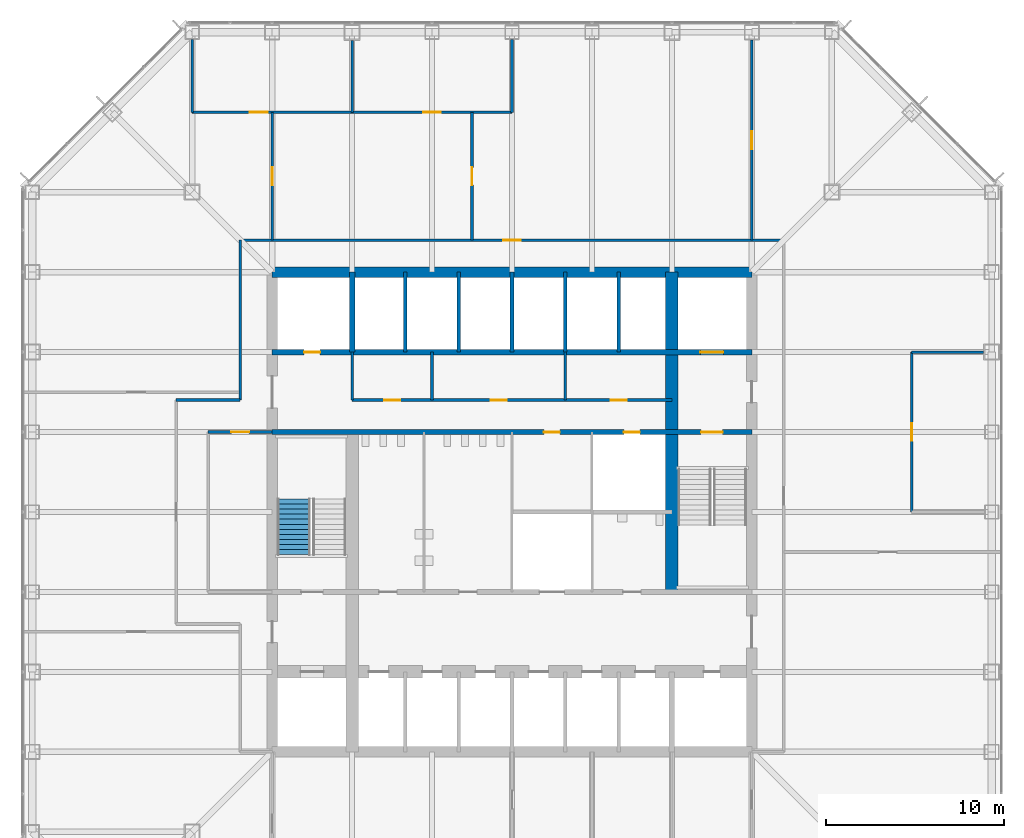
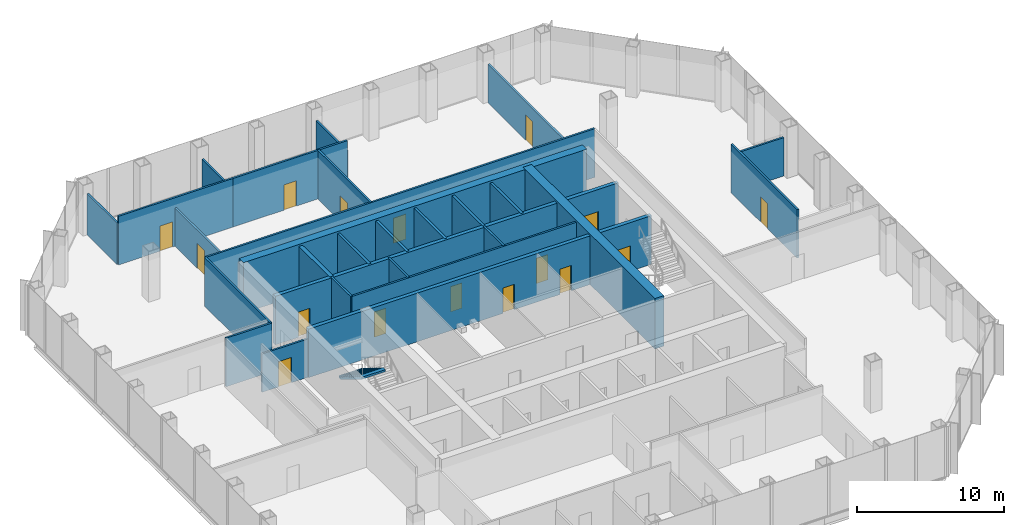
# One storey, part 10 of 13: 28 walls, 16 doors, 1 stair flight, 16 openings, 1 element without a shape of its own.
"""IFC4 building model written with IfcOpenShell, lengths in metres."""

from ifc_helpers import new_model, si_unit, direction, frame, frame_2d, origin, place, context, subcontext, project, spatial, polyline, rectangle, outline, extrude, material, layer, layer_set, type_object, element, fill, aggregate, save


model = new_model("IFC4")

# Units and contexts
model_context = context("Model", 3, precision=1e-05, world=origin(), true_north=direction((0.0, 1.0)))
body_context = subcontext(model_context, "Body", "Model", "MODEL_VIEW")
ifc_project = project(units=[si_unit("LENGTHUNIT", "METRE"), si_unit("AREAUNIT", "SQUARE_METRE"), si_unit("VOLUMEUNIT", "CUBIC_METRE"), si_unit("PLANEANGLEUNIT", "RADIAN"), si_unit("MASSUNIT", "GRAM", prefix="KILO")], contexts=[model_context])

# Site, building, storey
site_placement = place(None, origin())
site = spatial("IfcSite", under=ifc_project, at=site_placement, CompositionType="ELEMENT")
building_placement = place(site_placement, origin())
building = spatial("IfcBuilding", under=site, at=building_placement, Name="Corais Broadcast Tower", CompositionType="ELEMENT")
storey_placement = place(building_placement, frame((0.0, 0.0, 96.199951171875)))
storey = spatial("IfcBuildingStorey", under=building, at=storey_placement, Name="L21", CompositionType="ELEMENT", Elevation=96.199951171875)

# Wall
ifc_material_1 = material(Name="Concrete blockwork class A, grouted, two-hour", Category="masonry")
ifc_layer_1 = layer(ifc_material_1, 0.300048828125)
ifc_layer_set_1 = layer_set([ifc_layer_1], Name="Concrete blockwork class A, grouted, two-hour")
wall_type_1 = type_object("IfcWallType", Name="Core lobby wall 300", PredefinedType="SOLIDWALL", material=ifc_layer_set_1)
wall_1_placement = place(storey_placement, frame((18.0, 36.0, 0.0), z_axis=(0.0, 0.0, 1.0), x_axis=(0.0, 1.0, 0.0)))
element("IfcWall", 1, at=wall_1_placement, inside=storey, type_object=wall_type_1, Name="CL1 core shaft wall X18B L21", PredefinedType="SOLIDWALL", context=body_context, shape_type="SweptSolid", body=[
    extrude(rectangle(XDim=4.5, YDim=0.300048828125, at=frame_2d((2.25, 0.0))), origin(), (0.0, 0.0, 1.0), 4.0400390625),
])

# Wall, openings, doors
wall_2_placement = place(storey_placement, frame((13.5, 31.5, 0.0), z_axis=(0.0, 0.0, 1.0), x_axis=(1.0, 0.0, 0.0)))
wall_2 = element("IfcWall", 2, at=wall_2_placement, inside=storey, type_object=wall_type_1, Name="CL1 core lobby wall Y315 L21", PredefinedType="SOLIDWALL", context=body_context, shape_type="SweptSolid", body=[
    extrude(rectangle(XDim=27.0, YDim=0.300048828125, at=frame_2d((13.5, 0.0))), origin(), (0.0, 0.0, 1.0), 4.0400390625),
])
opening_1_placement = place(wall_2_placement, frame((24.14990234375, 0.0, 0.0)))
opening_1 = element("IfcOpeningElement", 3, at=opening_1_placement, cuts=wall_2, Name="Opening FD1", PredefinedType="OPENING", context=body_context, shape_type="SweptSolid", body=[
    extrude(rectangle(XDim=1.199951171875, YDim=2.10009765625, at=frame_2d((0.60009765625, 1.050048828125))), frame((0.0, 0.159912109375, 0.0), z_axis=(0.0, -1.0, 0.0), x_axis=(1.0, 0.0, 0.0)), (0.0, 0.0, 1.0), 0.320068359375),
])
opening_2_placement = place(wall_2_placement, frame((15.300048828125, 0.0, 0.0)))
opening_2 = element("IfcOpeningElement", 4, at=opening_2_placement, cuts=wall_2, Name="Opening RD1", PredefinedType="OPENING", context=body_context, shape_type="SweptSolid", body=[
    extrude(rectangle(XDim=0.89990234375, YDim=2.10009765625, at=frame_2d((0.449951171875, 1.050048828125))), frame((0.0, 0.159912109375, 0.0), z_axis=(0.0, -1.0, 0.0), x_axis=(1.0, 0.0, 0.0)), (0.0, 0.0, 1.0), 0.320068359375),
])
opening_3_placement = place(wall_2_placement, frame((19.800048828125, 0.0, 0.0)))
opening_3 = element("IfcOpeningElement", 5, at=opening_3_placement, cuts=wall_2, Name="Opening RD1", PredefinedType="OPENING", context=body_context, shape_type="SweptSolid", body=[
    extrude(rectangle(XDim=0.89990234375, YDim=2.10009765625, at=frame_2d((0.449951171875, 1.050048828125))), frame((0.0, 0.159912109375, 0.0), z_axis=(0.0, -1.0, 0.0), x_axis=(1.0, 0.0, 0.0)), (0.0, 0.0, 1.0), 0.320068359375),
])
ifc_material_2 = material(Name="Steel fire door", Category="steel")
door_type_1 = type_object("IfcDoorType", Name="Fire door 1200x2100", OperationType="SINGLE_SWING_LEFT", PredefinedType="DOOR", material=ifc_material_2)
door_1_placement = place(opening_1_placement, origin())
door_1 = element("IfcDoor", 6, at=door_1_placement, inside=storey, type_object=door_type_1, Name="FD1 stair B door L21", OperationType="SINGLE_SWING_RIGHT", OverallHeight=2.10009765625, OverallWidth=1.199951171875, PredefinedType="DOOR", context=body_context, shape_type="SweptSolid", body=[
    extrude(rectangle(XDim=1.199951171875, YDim=2.10009765625, at=frame_2d((0.60009765625, 1.050048828125))), frame((0.0, 0.02490234375, 0.0), z_axis=(0.0, -1.0, 0.0), x_axis=(1.0, 0.0, 0.0)), (0.0, 0.0, 1.0), 0.050048828125),
])
fill(opening_1, door_1)
ifc_material_3 = material(Name="Steel fire door", Category="steel")
door_type_2 = type_object("IfcDoorType", Name="Riser door 900x2100", OperationType="SINGLE_SWING_LEFT", PredefinedType="DOOR", material=ifc_material_3)
door_2_placement = place(opening_2_placement, origin())
door_2 = element("IfcDoor", 7, at=door_2_placement, inside=storey, type_object=door_type_2, Name="RD1 tea point door L21", OperationType="SINGLE_SWING_RIGHT", OverallHeight=2.10009765625, OverallWidth=0.89990234375, PredefinedType="DOOR", context=body_context, shape_type="SweptSolid", body=[
    extrude(rectangle(XDim=0.89990234375, YDim=2.10009765625, at=frame_2d((0.449951171875, 1.050048828125))), frame((0.0, 0.02490234375, 0.0), z_axis=(0.0, -1.0, 0.0), x_axis=(1.0, 0.0, 0.0)), (0.0, 0.0, 1.0), 0.050048828125),
])
fill(opening_2, door_2)
door_3_placement = place(opening_3_placement, origin())
door_3 = element("IfcDoor", 8, at=door_3_placement, inside=storey, type_object=door_type_2, Name="RD1 riser door L21", OperationType="SINGLE_SWING_RIGHT", OverallHeight=2.10009765625, OverallWidth=0.89990234375, PredefinedType="DOOR", context=body_context, shape_type="SweptSolid", body=[
    extrude(rectangle(XDim=0.89990234375, YDim=2.10009765625, at=frame_2d((0.449951171875, 1.050048828125))), frame((0.0, 0.02490234375, 0.0), z_axis=(0.0, -1.0, 0.0), x_axis=(1.0, 0.0, 0.0)), (0.0, 0.0, 1.0), 0.050048828125),
])
fill(opening_3, door_3)

# Walls
ifc_material_4 = material(Name="Concrete C50/60", Category="concrete")
ifc_layer_2 = layer(ifc_material_4, 0.699951171875)
ifc_layer_set_2 = layer_set([ifc_layer_2], Name="Concrete C50/60")
wall_type_2 = type_object("IfcWallType", Name="Core spine wall 700", PredefinedType="SHEAR", material=ifc_layer_set_2)
wall_3_placement = place(storey_placement, frame((36.0, 22.5, 0.0), z_axis=(0.0, 0.0, 1.0), x_axis=(0.0, 1.0, 0.0)))
element("IfcWall", 9, at=wall_3_placement, inside=storey, type_object=wall_type_2, Name="CR700 core wall X36B L21", PredefinedType="SHEAR", context=body_context, shape_type="SweptSolid", body=[
    extrude(rectangle(XDim=18.0, YDim=0.699951171875, at=frame_2d((9.0, 0.0))), origin(), (0.0, 0.0, 1.0), 4.199951171875),
])
ifc_material_5 = material(Name="Concrete C50/60", Category="concrete")
ifc_layer_3 = layer(ifc_material_5, 0.60009765625)
ifc_layer_set_3 = layer_set([ifc_layer_3], Name="Concrete C50/60")
wall_type_3 = type_object("IfcWallType", Name="Core wall 600", PredefinedType="SHEAR", material=ifc_layer_set_3)
wall_4_placement = place(storey_placement, frame((40.5, 40.5, 0.0), z_axis=(0.0, 0.0, 1.0), x_axis=(-1.0, 0.0, 0.0)))
element("IfcWall", 10, at=wall_4_placement, inside=storey, type_object=wall_type_3, Name="CR600 core wall N L21", PredefinedType="SHEAR", context=body_context, shape_type="SweptSolid", body=[
    extrude(rectangle(XDim=27.0, YDim=0.60009765625, at=frame_2d((13.5, 0.0))), origin(), (0.0, 0.0, 1.0), 4.199951171875),
])

# Wall, openings, doors
ifc_material_6 = material(Name="Concrete blockwork class A, grouted, four-hour", Category="masonry")
ifc_layer_4 = layer(ifc_material_6, 0.300048828125)
ifc_layer_set_4 = layer_set([ifc_layer_4], Name="Concrete blockwork class A, grouted, four-hour")
wall_type_4 = type_object("IfcWallType", Name="Emergency lift shaft wall 300", PredefinedType="SOLIDWALL", material=ifc_layer_set_4)
wall_5_placement = place(storey_placement, frame((13.5, 36.0, 0.0), z_axis=(0.0, 0.0, 1.0), x_axis=(1.0, 0.0, 0.0)))
wall_5 = element("IfcWall", 11, at=wall_5_placement, inside=storey, type_object=wall_type_4, Name="LS1 core lobby wall Y36 L21", PredefinedType="SOLIDWALL", context=body_context, shape_type="SweptSolid", body=[
    extrude(rectangle(XDim=27.0, YDim=0.300048828125, at=frame_2d((13.5, 0.0))), origin(), (0.0, 0.0, 1.0), 4.0400390625),
])
opening_4_placement = place(wall_5_placement, frame((1.800048828125, 0.0, 0.0)))
opening_4 = element("IfcOpeningElement", 12, at=opening_4_placement, cuts=wall_5, Name="Opening RD1", PredefinedType="OPENING", context=body_context, shape_type="SweptSolid", body=[
    extrude(rectangle(XDim=0.89990234375, YDim=2.10009765625, at=frame_2d((0.449951171875, 1.050048828125))), frame((0.0, 0.159912109375, 0.0), z_axis=(0.0, -1.0, 0.0), x_axis=(1.0, 0.0, 0.0)), (0.0, 0.0, 1.0), 0.320068359375),
])
opening_5_placement = place(wall_5_placement, frame((24.10009765625, 0.0, 0.0)))
opening_5 = element("IfcOpeningElement", 13, at=opening_5_placement, cuts=wall_5, Name="Opening LD2", PredefinedType="OPENING", context=body_context, shape_type="SweptSolid", body=[
    extrude(rectangle(XDim=1.300048828125, YDim=2.199951171875, at=frame_2d((0.64990234375, 1.10009765625))), frame((0.0, 0.159912109375, 0.0), z_axis=(0.0, -1.0, 0.0), x_axis=(1.0, 0.0, 0.0)), (0.0, 0.0, 1.0), 0.320068359375),
])
ifc_material_7 = material(Name="Stainless steel lift door", Category="steel")
door_type_3 = type_object("IfcDoorType", Name="Lift landing door 1300x2200", OperationType="SLIDING_TO_LEFT", PredefinedType="DOOR", material=ifc_material_7)
door_4_placement = place(opening_5_placement, origin())
door_4 = element("IfcDoor", 14, at=door_4_placement, inside=storey, type_object=door_type_3, Name="LD2 FL2 landing door L21", OperationType="SLIDING_TO_LEFT", OverallHeight=2.199951171875, OverallWidth=1.300048828125, PredefinedType="DOOR", context=body_context, shape_type="SweptSolid", body=[
    extrude(rectangle(XDim=1.300048828125, YDim=2.199951171875, at=frame_2d((0.64990234375, 1.10009765625))), frame((0.0, 0.02490234375, 0.0), z_axis=(0.0, -1.0, 0.0), x_axis=(1.0, 0.0, 0.0)), (0.0, 0.0, 1.0), 0.050048828125),
])
fill(opening_5, door_4)
door_5_placement = place(opening_4_placement, origin())
door_5 = element("IfcDoor", 15, at=door_5_placement, inside=storey, type_object=door_type_2, Name="RD1 riser door L21", OperationType="SINGLE_SWING_LEFT", OverallHeight=2.10009765625, OverallWidth=0.89990234375, PredefinedType="DOOR", context=body_context, shape_type="SweptSolid", body=[
    extrude(rectangle(XDim=0.89990234375, YDim=2.10009765625, at=frame_2d((0.449951171875, 1.050048828125))), frame((0.0, 0.02490234375, 0.0), z_axis=(0.0, -1.0, 0.0), x_axis=(1.0, 0.0, 0.0)), (0.0, 0.0, 1.0), 0.050048828125),
])
fill(opening_4, door_5)

ifc_material_8 = material(Name="Two layers of fire-rated gypsum board each side on steel studs", Category="steel")
ifc_layer_5 = layer(ifc_material_8, 0.14990234375)
ifc_layer_set_5 = layer_set([ifc_layer_5], Name="Two layers of fire-rated gypsum board each side on steel studs")
wall_type_5 = type_object("IfcWallType", Name="Fire-rated partition 150 EI 60", PredefinedType="PARTITIONING", material=ifc_layer_set_5)
wall_6_placement = place(storey_placement, frame((18.0, 33.300048828125, 0.0), z_axis=(0.0, 0.0, 1.0), x_axis=(1.0, 0.0, 0.0)))
wall_6 = element("IfcWall", 16, at=wall_6_placement, inside=storey, type_object=wall_type_5, Name="IW7 partition L21", PredefinedType="PARTITIONING", context=body_context, shape_type="SweptSolid", body=[
    extrude(rectangle(XDim=18.0, YDim=0.14990234375, at=frame_2d((9.0, 0.0))), origin(), (0.0, 0.0, 1.0), 4.0400390625),
])
opening_6_placement = place(wall_6_placement, frame((1.800048828125, 0.0, 0.0)))
opening_6 = element("IfcOpeningElement", 17, at=opening_6_placement, cuts=wall_6, Name="Opening RD1", PredefinedType="OPENING", context=body_context, shape_type="SweptSolid", body=[
    extrude(rectangle(XDim=0.89990234375, YDim=2.10009765625, at=frame_2d((0.449951171875, 1.050048828125))), frame((0.0, 0.0849609375, 0.0), z_axis=(0.0, -1.0, 0.0), x_axis=(1.0, 0.0, 0.0)), (0.0, 0.0, 1.0), 0.169921875),
])
opening_7_placement = place(wall_6_placement, frame((7.800048828125, 0.0, 0.0)))
opening_7 = element("IfcOpeningElement", 18, at=opening_7_placement, cuts=wall_6, Name="Opening RD1", PredefinedType="OPENING", context=body_context, shape_type="SweptSolid", body=[
    extrude(rectangle(XDim=0.89990234375, YDim=2.10009765625, at=frame_2d((0.449951171875, 1.050048828125))), frame((0.0, 0.0849609375, 0.0), z_axis=(0.0, -1.0, 0.0), x_axis=(1.0, 0.0, 0.0)), (0.0, 0.0, 1.0), 0.169921875),
])
opening_8_placement = place(wall_6_placement, frame((14.550048828125, 0.0, 0.0)))
opening_8 = element("IfcOpeningElement", 19, at=opening_8_placement, cuts=wall_6, Name="Opening RD1", PredefinedType="OPENING", context=body_context, shape_type="SweptSolid", body=[
    extrude(rectangle(XDim=0.89990234375, YDim=2.10009765625, at=frame_2d((0.449951171875, 1.050048828125))), frame((0.0, 0.0849609375, 0.0), z_axis=(0.0, -1.0, 0.0), x_axis=(1.0, 0.0, 0.0)), (0.0, 0.0, 1.0), 0.169921875),
])
door_6_placement = place(opening_6_placement, origin())
door_6 = element("IfcDoor", 20, at=door_6_placement, inside=storey, type_object=door_type_2, Name="RD1 first aid room door L21", OperationType="SINGLE_SWING_LEFT", OverallHeight=2.10009765625, OverallWidth=0.89990234375, PredefinedType="DOOR", context=body_context, shape_type="SweptSolid", body=[
    extrude(rectangle(XDim=0.89990234375, YDim=2.10009765625, at=frame_2d((0.449951171875, 1.050048828125))), frame((0.0, 0.02490234375, 0.0), z_axis=(0.0, -1.0, 0.0), x_axis=(1.0, 0.0, 0.0)), (0.0, 0.0, 1.0), 0.050048828125),
])
fill(opening_6, door_6)
door_7_placement = place(opening_7_placement, origin())
door_7 = element("IfcDoor", 21, at=door_7_placement, inside=storey, type_object=door_type_2, Name="RD1 print room door L21", OperationType="SINGLE_SWING_LEFT", OverallHeight=2.10009765625, OverallWidth=0.89990234375, PredefinedType="DOOR", context=body_context, shape_type="SweptSolid", body=[
    extrude(rectangle(XDim=0.89990234375, YDim=2.10009765625, at=frame_2d((0.449951171875, 1.050048828125))), frame((0.0, 0.02490234375, 0.0), z_axis=(0.0, -1.0, 0.0), x_axis=(1.0, 0.0, 0.0)), (0.0, 0.0, 1.0), 0.050048828125),
])
fill(opening_7, door_7)
door_8_placement = place(opening_8_placement, origin())
door_8 = element("IfcDoor", 22, at=door_8_placement, inside=storey, type_object=door_type_2, Name="RD1 comms room door L21", OperationType="SINGLE_SWING_RIGHT", OverallHeight=2.10009765625, OverallWidth=0.89990234375, PredefinedType="DOOR", context=body_context, shape_type="SweptSolid", body=[
    extrude(rectangle(XDim=0.89990234375, YDim=2.10009765625, at=frame_2d((0.449951171875, 1.050048828125))), frame((0.0, 0.02490234375, 0.0), z_axis=(0.0, -1.0, 0.0), x_axis=(1.0, 0.0, 0.0)), (0.0, 0.0, 1.0), 0.050048828125),
])
fill(opening_8, door_8)

# Walls
for number, where, z_axis, x_axis, name in (
    (23, (18.0, 33.300048828125, 0.0), (0.0, 0.0, 1.0), (0.0, 1.0, 0.0), "IW7 partition L21"),
    (24, (22.5, 33.300048828125, 0.0), (0.0, 0.0, 1.0), (0.0, 1.0, 0.0), "IW7 partition L21"),
    (25, (30.0, 33.300048828125, 0.0), (0.0, 0.0, 1.0), (0.0, 1.0, 0.0), "IW7 partition L21"),
):
    element("IfcWall", number, at=place(storey_placement, frame(where, z_axis=z_axis, x_axis=x_axis)), inside=storey, type_object=wall_type_5, Name=name, PredefinedType="PARTITIONING", context=body_context, shape_type="SweptSolid", body=[
        extrude(rectangle(XDim=2.699951171875, YDim=0.14990234375, at=frame_2d((1.35009765625, 0.0))), origin(), (0.0, 0.0, 1.0), 4.0400390625),
    ])

# Wall, opening, door
ifc_material_9 = material(Name="Gypsum board on steel studs", Category="steel")
ifc_layer_6 = layer(ifc_material_9, 0.14990234375)
ifc_layer_set_6 = layer_set([ifc_layer_6], Name="Gypsum board on steel studs")
wall_type_6 = type_object("IfcWallType", Name="Partition 150", PredefinedType="PARTITIONING", material=ifc_layer_set_6)
wall_7_placement = place(storey_placement, frame((42.300048828125, 42.300048828125, 0.0), z_axis=(0.0, 0.0, 1.0), x_axis=(-1.0, 0.0, 0.0)))
wall_7 = element("IfcWall", 26, at=wall_7_placement, inside=storey, type_object=wall_type_6, Name="IW3 corridor wall L21", PredefinedType="PARTITIONING", context=body_context, shape_type="SweptSolid", body=[
    extrude(rectangle(XDim=30.60009765625, YDim=0.14990234375, at=frame_2d((15.300048828125, 0.0))), origin(), (0.0, 0.0, 1.0), 4.0400390625),
])
opening_9_placement = place(wall_7_placement, frame((14.800048828125, 0.0, 0.0)))
opening_9 = element("IfcOpeningElement", 27, at=opening_9_placement, cuts=wall_7, Name="Opening D1", PredefinedType="OPENING", context=body_context, shape_type="SweptSolid", body=[
    extrude(rectangle(XDim=1.0, YDim=2.10009765625, at=frame_2d((0.5, 1.050048828125))), frame((0.0, 0.0849609375, 0.0), z_axis=(0.0, -1.0, 0.0), x_axis=(1.0, 0.0, 0.0)), (0.0, 0.0, 1.0), 0.169921875),
])
ifc_material_10 = material(Name="Timber door", Category="wood")
door_type_4 = type_object("IfcDoorType", Name="Single door 1000x2100", OperationType="SINGLE_SWING_LEFT", PredefinedType="DOOR", material=ifc_material_10)
door_9_placement = place(opening_9_placement, origin())
door_9 = element("IfcDoor", 28, at=door_9_placement, inside=storey, type_object=door_type_4, Name="D1 workplace door L21", OperationType="SINGLE_SWING_LEFT", OverallHeight=2.10009765625, OverallWidth=1.0, PredefinedType="DOOR", context=body_context, shape_type="SweptSolid", body=[
    extrude(rectangle(XDim=1.0, YDim=2.10009765625, at=frame_2d((0.5, 1.050048828125))), frame((0.0, 0.02490234375, 0.0), z_axis=(0.0, -1.0, 0.0), x_axis=(1.0, 0.0, 0.0)), (0.0, 0.0, 1.0), 0.050048828125),
])
fill(opening_9, door_9)

# Walls
wall_8_placement = place(storey_placement, frame((11.699951171875, 42.300048828125, 0.0), z_axis=(0.0, 0.0, 1.0), x_axis=(0.0, -1.0, 0.0)))
element("IfcWall", 29, at=wall_8_placement, inside=storey, type_object=wall_type_6, Name="IW3 corridor wall L21", PredefinedType="PARTITIONING", context=body_context, shape_type="SweptSolid", body=[
    extrude(rectangle(XDim=9.0, YDim=0.14990234375, at=frame_2d((4.5, 0.0))), origin(), (0.0, 0.0, 1.0), 4.0400390625),
])
wall_9_placement = place(storey_placement, frame((11.699951171875, 33.300048828125, 0.0), z_axis=(0.0, 0.0, 1.0), x_axis=(-1.0, 0.0, 0.0)))
element("IfcWall", 30, at=wall_9_placement, inside=storey, type_object=wall_type_6, Name="IW3 corridor wall L21", PredefinedType="PARTITIONING", context=body_context, shape_type="SweptSolid", body=[
    extrude(rectangle(XDim=3.599853515625, YDim=0.14990234375, at=frame_2d((1.7998046875, 0.0))), origin(), (0.0, 0.0, 1.0), 4.0400390625),
])

# Wall, opening, door
wall_10_placement = place(storey_placement, frame((9.0, 49.5, 0.0), z_axis=(0.0, 0.0, 1.0), x_axis=(1.0, 0.0, 0.0)))
wall_10 = element("IfcWall", 31, at=wall_10_placement, inside=storey, type_object=wall_type_6, Name="IW3 partition L21", PredefinedType="PARTITIONING", context=body_context, shape_type="SweptSolid", body=[
    extrude(rectangle(XDim=9.0, YDim=0.14990234375, at=frame_2d((4.5, 0.0))), origin(), (0.0, 0.0, 1.0), 4.0400390625),
])
opening_10_placement = place(wall_10_placement, frame((3.25, 0.0, 0.0)))
opening_10 = element("IfcOpeningElement", 32, at=opening_10_placement, cuts=wall_10, Name="Opening D1", PredefinedType="OPENING", context=body_context, shape_type="SweptSolid", body=[
    extrude(rectangle(XDim=1.0, YDim=2.10009765625, at=frame_2d((0.5, 1.050048828125))), frame((0.0, 0.0849609375, 0.0), z_axis=(0.0, -1.0, 0.0), x_axis=(1.0, 0.0, 0.0)), (0.0, 0.0, 1.0), 0.169921875),
])
door_10_placement = place(opening_10_placement, origin())
door_10 = element("IfcDoor", 33, at=door_10_placement, inside=storey, type_object=door_type_4, Name="D1 Academy conference room door", OperationType="SINGLE_SWING_LEFT", OverallHeight=2.10009765625, OverallWidth=1.0, PredefinedType="DOOR", context=body_context, shape_type="SweptSolid", body=[
    extrude(rectangle(XDim=1.0, YDim=2.10009765625, at=frame_2d((0.5, 1.050048828125))), frame((0.0, 0.02490234375, 0.0), z_axis=(0.0, -1.0, 0.0), x_axis=(1.0, 0.0, 0.0)), (0.0, 0.0, 1.0), 0.050048828125),
])
fill(opening_10, door_10)

# Walls
wall_11_placement = place(storey_placement, frame((18.0, 49.5, 0.0), z_axis=(0.0, 0.0, 1.0), x_axis=(0.0, 1.0, 0.0)))
element("IfcWall", 34, at=wall_11_placement, inside=storey, type_object=wall_type_6, Name="IW3 partition L21", PredefinedType="PARTITIONING", context=body_context, shape_type="SweptSolid", body=[
    extrude(rectangle(XDim=4.0400390625, YDim=0.14990234375, at=frame_2d((2.02001953125, 0.0))), origin(), (0.0, 0.0, 1.0), 3.18896484375),
])
wall_12_placement = place(storey_placement, frame((9.0, 53.590087890625, 0.0), z_axis=(0.0, 0.0, 1.0), x_axis=(0.0, -1.0, 0.0)))
element("IfcWall", 35, at=wall_12_placement, inside=storey, type_object=wall_type_6, Name="IW3 partition L21", PredefinedType="PARTITIONING", context=body_context, shape_type="SweptSolid", body=[
    extrude(rectangle(XDim=4.090087890625, YDim=0.14990234375, at=frame_2d((2.044921875, 0.0))), origin(), (0.0, 0.0, 1.0), 3.428955078125),
])

# Wall, opening, door
wall_13_placement = place(storey_placement, frame((18.0, 49.5, 0.0), z_axis=(0.0, 0.0, 1.0), x_axis=(1.0, 0.0, 0.0)))
wall_13 = element("IfcWall", 36, at=wall_13_placement, inside=storey, type_object=wall_type_6, Name="IW3 partition L21", PredefinedType="PARTITIONING", context=body_context, shape_type="SweptSolid", body=[
    extrude(rectangle(XDim=9.0, YDim=0.14990234375, at=frame_2d((4.5, 0.0))), origin(), (0.0, 0.0, 1.0), 4.0400390625),
])
opening_11_placement = place(wall_13_placement, frame((4.0, 0.0, 0.0)))
opening_11 = element("IfcOpeningElement", 37, at=opening_11_placement, cuts=wall_13, Name="Opening D1", PredefinedType="OPENING", context=body_context, shape_type="SweptSolid", body=[
    extrude(rectangle(XDim=1.0, YDim=2.10009765625, at=frame_2d((0.5, 1.050048828125))), frame((0.0, 0.0849609375, 0.0), z_axis=(0.0, -1.0, 0.0), x_axis=(1.0, 0.0, 0.0)), (0.0, 0.0, 1.0), 0.169921875),
])
door_11_placement = place(opening_11_placement, origin())
door_11 = element("IfcDoor", 38, at=door_11_placement, inside=storey, type_object=door_type_4, Name="D1 Academy conference room door", OperationType="SINGLE_SWING_LEFT", OverallHeight=2.10009765625, OverallWidth=1.0, PredefinedType="DOOR", context=body_context, shape_type="SweptSolid", body=[
    extrude(rectangle(XDim=1.0, YDim=2.10009765625, at=frame_2d((0.5, 1.050048828125))), frame((0.0, 0.02490234375, 0.0), z_axis=(0.0, -1.0, 0.0), x_axis=(1.0, 0.0, 0.0)), (0.0, 0.0, 1.0), 0.050048828125),
])
fill(opening_11, door_11)

# Wall
wall_14_placement = place(storey_placement, frame((27.0, 49.5, 0.0), z_axis=(0.0, 0.0, 1.0), x_axis=(0.0, 1.0, 0.0)))
element("IfcWall", 39, at=wall_14_placement, inside=storey, type_object=wall_type_6, Name="IW3 partition L21", PredefinedType="PARTITIONING", context=body_context, shape_type="SweptSolid", body=[
    extrude(rectangle(XDim=4.090087890625, YDim=0.14990234375, at=frame_2d((2.044921875, 0.0))), origin(), (0.0, 0.0, 1.0), 3.18896484375),
])

# Wall, opening, door
wall_15_placement = place(storey_placement, frame((13.5, 31.5, 0.0), z_axis=(0.0, 0.0, 1.0), x_axis=(-1.0, 0.0, 0.0)))
wall_15 = element("IfcWall", 40, at=wall_15_placement, inside=storey, type_object=wall_type_6, Name="IW3 partition L21", PredefinedType="PARTITIONING", context=body_context, shape_type="SweptSolid", body=[
    extrude(rectangle(XDim=3.60009765625, YDim=0.14990234375, at=frame_2d((1.800048828125, 0.0))), origin(), (0.0, 0.0, 1.0), 3.18896484375),
])
opening_12_placement = place(wall_15_placement, frame((1.300048828125, 0.0, 0.0)))
opening_12 = element("IfcOpeningElement", 41, at=opening_12_placement, cuts=wall_15, Name="Opening D1", PredefinedType="OPENING", context=body_context, shape_type="SweptSolid", body=[
    extrude(rectangle(XDim=1.0, YDim=2.10009765625, at=frame_2d((0.5, 1.050048828125))), frame((0.0, 0.0849609375, 0.0), z_axis=(0.0, -1.0, 0.0), x_axis=(1.0, 0.0, 0.0)), (0.0, 0.0, 1.0), 0.169921875),
])
door_12_placement = place(opening_12_placement, origin())
door_12 = element("IfcDoor", 42, at=door_12_placement, inside=storey, type_object=door_type_4, Name="D1 Pantry door", OperationType="SINGLE_SWING_LEFT", OverallHeight=2.10009765625, OverallWidth=1.0, PredefinedType="DOOR", context=body_context, shape_type="SweptSolid", body=[
    extrude(rectangle(XDim=1.0, YDim=2.10009765625, at=frame_2d((0.5, 1.050048828125))), frame((0.0, 0.02490234375, 0.0), z_axis=(0.0, -1.0, 0.0), x_axis=(1.0, 0.0, 0.0)), (0.0, 0.0, 1.0), 0.050048828125),
])
fill(opening_12, door_12)

# Wall
wall_16_placement = place(storey_placement, frame((53.5400390625, 36.0, 0.0), z_axis=(0.0, 0.0, 1.0), x_axis=(-1.0, 0.0, 0.0)))
element("IfcWall", 43, at=wall_16_placement, inside=storey, type_object=wall_type_6, Name="IW3 partition L21", PredefinedType="PARTITIONING", context=body_context, shape_type="SweptSolid", body=[
    extrude(rectangle(XDim=4.0400390625, YDim=0.14990234375, at=frame_2d((2.02001953125, 0.0))), origin(), (0.0, 0.0, 1.0), 3.18896484375),
])

# Wall, opening, door
wall_17_placement = place(storey_placement, frame((49.5, 36.0, 0.0), z_axis=(0.0, 0.0, 1.0), x_axis=(0.0, -1.0, 0.0)))
wall_17 = element("IfcWall", 44, at=wall_17_placement, inside=storey, type_object=wall_type_6, Name="IW3 partition L21", PredefinedType="PARTITIONING", context=body_context, shape_type="SweptSolid", body=[
    extrude(rectangle(XDim=9.0, YDim=0.14990234375, at=frame_2d((4.5, 0.0))), origin(), (0.0, 0.0, 1.0), 4.0400390625),
])
opening_13_placement = place(wall_17_placement, frame((4.0, 0.0, 0.0)))
opening_13 = element("IfcOpeningElement", 45, at=opening_13_placement, cuts=wall_17, Name="Opening D1", PredefinedType="OPENING", context=body_context, shape_type="SweptSolid", body=[
    extrude(rectangle(XDim=1.0, YDim=2.10009765625, at=frame_2d((0.5, 1.050048828125))), frame((0.0, 0.0849609375, 0.0), z_axis=(0.0, -1.0, 0.0), x_axis=(1.0, 0.0, 0.0)), (0.0, 0.0, 1.0), 0.169921875),
])
door_13_placement = place(opening_13_placement, origin())
door_13 = element("IfcDoor", 46, at=door_13_placement, inside=storey, type_object=door_type_4, Name="D1 Student lounge door", OperationType="SINGLE_SWING_LEFT", OverallHeight=2.10009765625, OverallWidth=1.0, PredefinedType="DOOR", context=body_context, shape_type="SweptSolid", body=[
    extrude(rectangle(XDim=1.0, YDim=2.10009765625, at=frame_2d((0.5, 1.050048828125))), frame((0.0, 0.02490234375, 0.0), z_axis=(0.0, -1.0, 0.0), x_axis=(1.0, 0.0, 0.0)), (0.0, 0.0, 1.0), 0.050048828125),
])
fill(opening_13, door_13)

wall_18_placement = place(storey_placement, frame((40.5, 53.554931640625, 0.0), z_axis=(0.0, 0.0, 1.0), x_axis=(0.0, -1.0, 0.0)))
wall_18 = element("IfcWall", 47, at=wall_18_placement, inside=storey, type_object=wall_type_6, Name="IW3 partition L21", PredefinedType="PARTITIONING", context=body_context, shape_type="SweptSolid", body=[
    extrude(rectangle(XDim=11.2548828125, YDim=0.14990234375, at=frame_2d((5.62744140625, 0.0))), origin(), (0.0, 0.0, 1.0), 3.18896484375),
])
opening_14_placement = place(wall_18_placement, frame((5.12744140625, 0.0, 0.0)))
opening_14 = element("IfcOpeningElement", 48, at=opening_14_placement, cuts=wall_18, Name="Opening D1", PredefinedType="OPENING", context=body_context, shape_type="SweptSolid", body=[
    extrude(rectangle(XDim=1.0, YDim=2.10009765625, at=frame_2d((0.5, 1.050048828125))), frame((0.0, 0.0849609375, 0.0), z_axis=(0.0, -1.0, 0.0), x_axis=(1.0, 0.0, 0.0)), (0.0, 0.0, 1.0), 0.169921875),
])
door_14_placement = place(opening_14_placement, origin())
door_14 = element("IfcDoor", 49, at=door_14_placement, inside=storey, type_object=door_type_4, Name="D1 team room door L21", OperationType="SINGLE_SWING_LEFT", OverallHeight=2.10009765625, OverallWidth=1.0, PredefinedType="DOOR", context=body_context, shape_type="SweptSolid", body=[
    extrude(rectangle(XDim=1.0, YDim=2.10009765625, at=frame_2d((0.5, 1.050048828125))), frame((0.0, 0.02490234375, 0.0), z_axis=(0.0, -1.0, 0.0), x_axis=(1.0, 0.0, 0.0)), (0.0, 0.0, 1.0), 0.050048828125),
])
fill(opening_14, door_14)

wall_19_placement = place(storey_placement, frame((24.75, 42.300048828125, 0.0), z_axis=(0.0, 0.0, 1.0), x_axis=(0.0, 1.0, 0.0)))
wall_19 = element("IfcWall", 50, at=wall_19_placement, inside=storey, type_object=wall_type_6, Name="IW3 partition L21", PredefinedType="PARTITIONING", context=body_context, shape_type="SweptSolid", body=[
    extrude(rectangle(XDim=7.199951171875, YDim=0.14990234375, at=frame_2d((3.60009765625, 0.0))), origin(), (0.0, 0.0, 1.0), 4.0400390625),
])
opening_15_placement = place(wall_19_placement, frame((3.10009765625, 0.0, 0.0)))
opening_15 = element("IfcOpeningElement", 51, at=opening_15_placement, cuts=wall_19, Name="Opening D1", PredefinedType="OPENING", context=body_context, shape_type="SweptSolid", body=[
    extrude(rectangle(XDim=1.0, YDim=2.10009765625, at=frame_2d((0.5, 1.050048828125))), frame((0.0, 0.0849609375, 0.0), z_axis=(0.0, -1.0, 0.0), x_axis=(1.0, 0.0, 0.0)), (0.0, 0.0, 1.0), 0.169921875),
])
door_15_placement = place(opening_15_placement, origin())
door_15 = element("IfcDoor", 52, at=door_15_placement, inside=storey, type_object=door_type_4, Name="D1 team room door L21", OperationType="SINGLE_SWING_LEFT", OverallHeight=2.10009765625, OverallWidth=1.0, PredefinedType="DOOR", context=body_context, shape_type="SweptSolid", body=[
    extrude(rectangle(XDim=1.0, YDim=2.10009765625, at=frame_2d((0.5, 1.050048828125))), frame((0.0, 0.02490234375, 0.0), z_axis=(0.0, -1.0, 0.0), x_axis=(1.0, 0.0, 0.0)), (0.0, 0.0, 1.0), 0.050048828125),
])
fill(opening_15, door_15)

wall_20_placement = place(storey_placement, frame((13.5, 49.5, 0.0), z_axis=(0.0, 0.0, 1.0), x_axis=(0.0, -1.0, 0.0)))
wall_20 = element("IfcWall", 53, at=wall_20_placement, inside=storey, type_object=wall_type_6, Name="IW3 partition L21", PredefinedType="PARTITIONING", context=body_context, shape_type="SweptSolid", body=[
    extrude(rectangle(XDim=7.199951171875, YDim=0.14990234375, at=frame_2d((3.60009765625, 0.0))), origin(), (0.0, 0.0, 1.0), 3.18896484375),
])
opening_16_placement = place(wall_20_placement, frame((3.10009765625, 0.0, 0.0)))
opening_16 = element("IfcOpeningElement", 54, at=opening_16_placement, cuts=wall_20, Name="Opening D1", PredefinedType="OPENING", context=body_context, shape_type="SweptSolid", body=[
    extrude(rectangle(XDim=1.0, YDim=2.10009765625, at=frame_2d((0.5, 1.050048828125))), frame((0.0, 0.0849609375, 0.0), z_axis=(0.0, -1.0, 0.0), x_axis=(1.0, 0.0, 0.0)), (0.0, 0.0, 1.0), 0.169921875),
])
door_16_placement = place(opening_16_placement, origin())
door_16 = element("IfcDoor", 55, at=door_16_placement, inside=storey, type_object=door_type_4, Name="D1 team room door L21", OperationType="SINGLE_SWING_LEFT", OverallHeight=2.10009765625, OverallWidth=1.0, PredefinedType="DOOR", context=body_context, shape_type="SweptSolid", body=[
    extrude(rectangle(XDim=1.0, YDim=2.10009765625, at=frame_2d((0.5, 1.050048828125))), frame((0.0, 0.02490234375, 0.0), z_axis=(0.0, -1.0, 0.0), x_axis=(1.0, 0.0, 0.0)), (0.0, 0.0, 1.0), 0.050048828125),
])
fill(opening_16, door_16)

# Walls
ifc_material_11 = material(Name="Concrete blockwork class A, grouted, two-hour", Category="masonry")
ifc_layer_7 = layer(ifc_material_11, 0.199951171875)
ifc_layer_set_7 = layer_set([ifc_layer_7], Name="Concrete blockwork class A, grouted, two-hour")
wall_type_7 = type_object("IfcWallType", Name="Shaft wall 200", PredefinedType="PARTITIONING", material=ifc_layer_set_7)
for number, where, z_axis, x_axis, name in (
    (56, (21.0, 36.0, 0.0), (0.0, 0.0, 1.0), (0.0, 1.0, 0.0), "IW1 shaft wall L21"),
    (57, (24.0, 36.0, 0.0), (0.0, 0.0, 1.0), (0.0, 1.0, 0.0), "IW1 shaft wall L21"),
    (58, (27.0, 36.0, 0.0), (0.0, 0.0, 1.0), (0.0, 1.0, 0.0), "IW1 shaft wall L21"),
    (59, (30.0, 36.0, 0.0), (0.0, 0.0, 1.0), (0.0, 1.0, 0.0), "IW1 shaft wall L21"),
    (60, (33.0, 36.0, 0.0), (0.0, 0.0, 1.0), (0.0, 1.0, 0.0), "IW1 shaft wall L21"),
):
    element("IfcWall", number, at=place(storey_placement, frame(where, z_axis=z_axis, x_axis=x_axis)), inside=storey, type_object=wall_type_7, Name=name, PredefinedType="PARTITIONING", context=body_context, shape_type="SweptSolid", body=[
        extrude(rectangle(XDim=4.5, YDim=0.199951171875, at=frame_2d((2.25, 0.0))), origin(), (0.0, 0.0, 1.0), 4.0400390625),
    ])

# Stair, stair flight
ifc_material_12 = material(Name="Concrete C30/37", Category="concrete")
stair_type = type_object("IfcStairType", Name="Half-turn stair 4200", PredefinedType="HALF_TURN_STAIR", material=ifc_material_12)
stair_placement = place(storey_placement, origin())
stair = element("IfcStair", 61, at=stair_placement, inside=storey, type_object=stair_type, Name="Stair A L21", PredefinedType="HALF_TURN_STAIR")
ifc_material_13 = material(Name="Concrete C30/37", Category="concrete")
stair_flight_type = type_object("IfcStairFlightType", Name="Stair flight 4200", PredefinedType="STRAIGHT", material=ifc_material_13)
stair_flight_placement = place(storey_placement, frame((14.72509765625, 27.735107421875, 2.10009765625), z_axis=(0.0, 0.0, 1.0), x_axis=(0.0, -1.0, 0.0)))
stair_flight = element("IfcStairFlight", 62, at=stair_flight_placement, type_object=stair_flight_type, Name="STA flight 2", NumberOfRisers=12, NumberOfTreads=11, PredefinedType="STRAIGHT", RiserHeight=0.175, TreadLength=0.285, context=body_context, shape_type="SweptSolid", body=[
    extrude(outline(polyline([(0.0, 0.0), (0.0, 0.175048828125), (0.284912109375, 0.175048828125), (0.284912109375, 0.35009765625), (0.570068359375, 0.35009765625), (0.570068359375, 0.52490234375), (0.85498046875, 0.52490234375), (0.85498046875, 0.699951171875), (1.139892578125, 0.699951171875), (1.139892578125, 0.875), (1.425048828125, 0.875), (1.425048828125, 1.050048828125), (1.7099609375, 1.050048828125), (1.7099609375, 1.22509765625), (1.9951171875, 1.22509765625), (1.9951171875, 1.39990234375), (2.280029296875, 1.39990234375), (2.280029296875, 1.574951171875), (2.56494140625, 1.574951171875), (2.56494140625, 1.75), (2.85009765625, 1.75), (2.85009765625, 1.925048828125), (3.135009765625, 1.925048828125), (3.135009765625, 2.10009765625), (3.135009765625, 1.7490234375), (0.286376953125, 0.0), (0.0, 0.0)])), frame((0.0, 0.925048828125, 0.0), z_axis=(0.0, -1.0, 0.0), x_axis=(1.0, 0.0, 0.0)), (0.0, 0.0, 1.0), 1.85009765625),
])
aggregate(stair, [stair_flight])

save(model, "model.ifc")
